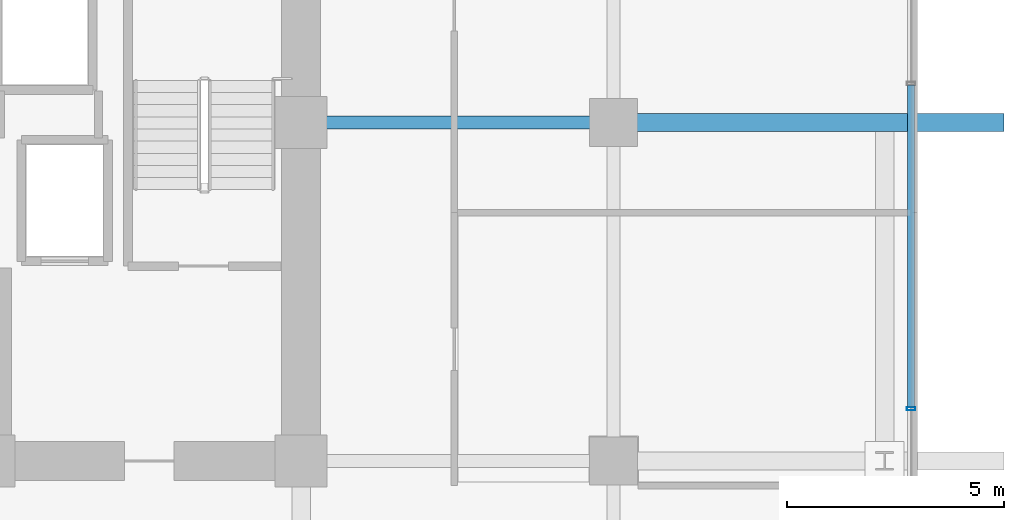
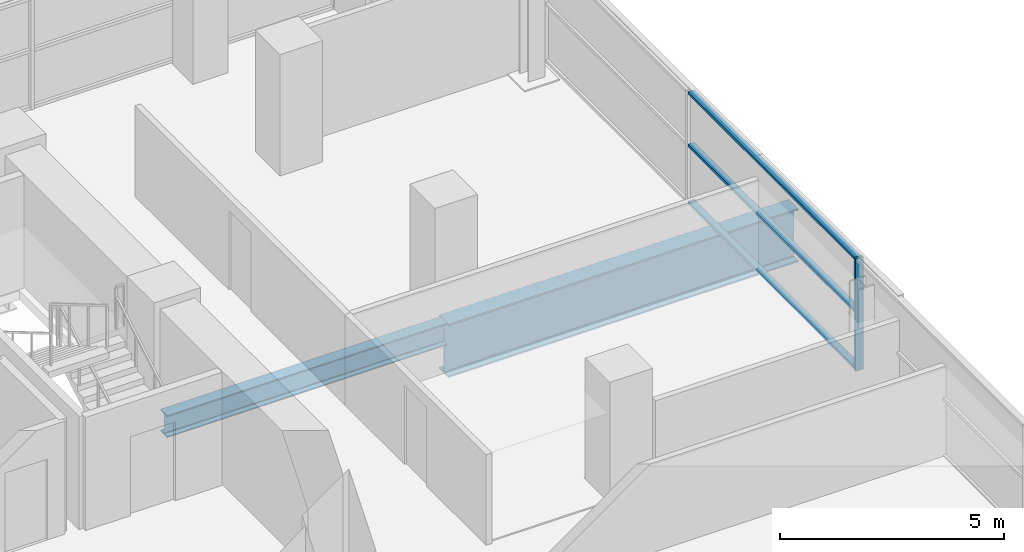
# One storey, part 15 of 32: 4 members, 2 beams, 1 element without a shape of its own.
"""IFC4 building model written with IfcOpenShell, lengths in metres."""

import ifcopenshell
import ifcopenshell.guid

model = None  # the IFC model being written
_history = None  # IfcOwnerHistory: only IFC2X3 demands one
_inside = {}  # id of a spatial element -> (the spatial element, [elements in it])
_under = {}  # id of a project, library or spatial element -> (it, [spatial elements below it])
_declared = {}  # id of a project -> (the project, [libraries it declares])
_typed = {}  # id of a type object -> (the type object, [elements of that type])
_made_of = {}  # id of a material, layer set ... -> (it, [elements and type objects made of it])


def new_model(schema):
    """Start an empty IFC model of exactly this schema.

    Asked for "IFC4X3", IfcOpenShell would pick the latest addendum, in which some entities
    have other attributes; the version numbers below select the first issue.
    IFC2X3 requires an IfcOwnerHistory on every rooted entity: one is made here for all.
    """
    global model, _history
    if schema == "IFC4X3":
        model = ifcopenshell.file(schema_version=(4, 3, 0, 0))
    else:
        model = ifcopenshell.file(schema=schema)
    _inside.clear()
    _under.clear()
    _declared.clear()
    _typed.clear()
    _made_of.clear()
    _history = None
    if model.schema == "IFC2X3":
        org = make("IfcOrganization", Name="unknown")
        user = make(
            "IfcPersonAndOrganization",
            ThePerson=make("IfcPerson", FamilyName="unknown"),
            TheOrganization=org,
        )
        app = make(
            "IfcApplication",
            ApplicationDeveloper=org,
            Version="unknown",
            ApplicationFullName="unknown",
            ApplicationIdentifier="unknown",
        )
        _history = make(
            "IfcOwnerHistory",
            OwningUser=user,
            OwningApplication=app,
            ChangeAction="ADDED",
            CreationDate=0,
        )
    return model


def make(cls, **values):
    """One entity of the class cls with the attributes given. An attribute that is None is left unset."""
    return model.create_entity(
        cls, **{name: value for name, value in values.items() if value is not None}
    )


def rooted(cls, **values):
    """An entity with a GlobalId (a new one), such as an element, a storey or a relation."""
    return make(cls, GlobalId=ifcopenshell.guid.new(), OwnerHistory=_history, **values)


def si_unit(unit_type, name, prefix=None):
    """IfcSIUnit, for example si_unit("LENGTHUNIT", "METRE", prefix="MILLI")."""
    return make("IfcSIUnit", UnitType=unit_type, Prefix=prefix, Name=name)


def assignment(units):
    """IfcUnitAssignment: the units of a project."""
    return None if units is None else make("IfcUnitAssignment", Units=units)


def point(xyz):
    """IfcCartesianPoint."""
    return None if xyz is None else make("IfcCartesianPoint", Coordinates=xyz)


def direction(xyz):
    """IfcDirection."""
    return None if xyz is None else make("IfcDirection", DirectionRatios=xyz)


def frame(location, z_axis=None, x_axis=None):
    """IfcAxis2Placement3D, a coordinate frame: its origin and axes. An axis left out is left unset."""
    return make(
        "IfcAxis2Placement3D",
        Location=point(location),
        Axis=direction(z_axis),
        RefDirection=direction(x_axis),
    )


def frame_2d(location, x_axis=None):
    """IfcAxis2Placement2D, a coordinate frame in the plane: its origin and x axis."""
    return make(
        "IfcAxis2Placement2D", Location=point(location), RefDirection=direction(x_axis)
    )


def origin():
    """The frame at (0, 0, 0) with its axes left unset."""
    return frame((0.0, 0.0, 0.0))


def origin_2d():
    """The frame at (0, 0) in the plane with its x axis left unset."""
    return frame_2d((0.0, 0.0))


def place(relative_to, where):
    """IfcLocalPlacement: puts the frame where relative to a parent placement (None: the world)."""
    return make(
        "IfcLocalPlacement", PlacementRelTo=relative_to, RelativePlacement=where
    )


def context(
    kind, dimensions, precision=None, world=None, true_north=None, identifier=None
):
    """IfcGeometricRepresentationContext, for example the 3D "Model" context."""
    return make(
        "IfcGeometricRepresentationContext",
        ContextIdentifier=identifier,
        ContextType=kind,
        CoordinateSpaceDimension=dimensions,
        Precision=precision,
        WorldCoordinateSystem=world,
        TrueNorth=true_north,
    )


def subcontext(parent, identifier, kind, view, scale=None):
    """IfcGeometricRepresentationSubContext, for example "Body" below "Model"."""
    return make(
        "IfcGeometricRepresentationSubContext",
        ContextIdentifier=identifier,
        ContextType=kind,
        ParentContext=parent,
        TargetScale=scale,
        TargetView=view,
    )


def project(units=None, contexts=None):
    """IfcProject with its units and contexts."""
    return rooted(
        "IfcProject",
        Name="project",
        RepresentationContexts=contexts,
        UnitsInContext=assignment(units),
    )


def spatial(cls, under=None, at=None, **own):
    """A site, building, storey or space (cls), placed at a placement, below another one or the project."""
    s = rooted(cls, ObjectPlacement=at, **own)
    if under is not None:
        _under.setdefault(under.id(), (under, []))[1].append(s)
    return s


def profile(cls, at=None, kind="AREA", **sizes):
    """A parametric profile (cls). Its sizes go by their IFC names, for example OverallWidth=200.0."""
    return make(cls, ProfileType=kind, Position=at, **sizes)


def hollow_rectangle(**sizes):
    """IfcRectangleHollowProfileDef."""
    return profile("IfcRectangleHollowProfileDef", **sizes)


def i_section(**sizes):
    """IfcIShapeProfileDef."""
    return profile("IfcIShapeProfileDef", **sizes)


def extrude(swept, where, along, depth):
    """IfcExtrudedAreaSolid: the profile swept, set in the frame where, extruded along a direction by depth."""
    return make(
        "IfcExtrudedAreaSolid",
        SweptArea=swept,
        Position=where,
        ExtrudedDirection=direction(along),
        Depth=depth,
    )


def shape(context_of_items, identifier, shape_type, items):
    """IfcShapeRepresentation: the items that make up one representation, for example the "Body"."""
    return make(
        "IfcShapeRepresentation",
        ContextOfItems=context_of_items,
        RepresentationIdentifier=identifier,
        RepresentationType=shape_type,
        Items=items,
    )


def source(mapping_origin, context_of_items, identifier, shape_type, items):
    """IfcRepresentationMap: a shape defined once, which mapped items show again and again."""
    return make(
        "IfcRepresentationMap",
        MappingOrigin=mapping_origin,
        MappedRepresentation=shape(context_of_items, identifier, shape_type, items),
    )


def transform(
    local_origin,
    x_axis=None,
    y_axis=None,
    z_axis=None,
    scale=None,
    scale2=None,
    scale3=None,
    uniform=True,
):
    """IfcCartesianTransformationOperator3D, or its non-uniform kind. x_axis, y_axis, z_axis: its Axis1, 2, 3."""
    if uniform:
        return make(
            "IfcCartesianTransformationOperator3D",
            Axis1=direction(x_axis),
            Axis2=direction(y_axis),
            LocalOrigin=point(local_origin),
            Scale=scale,
            Axis3=direction(z_axis),
        )
    return make(
        "IfcCartesianTransformationOperator3DnonUniform",
        Axis1=direction(x_axis),
        Axis2=direction(y_axis),
        LocalOrigin=point(local_origin),
        Scale=scale,
        Axis3=direction(z_axis),
        Scale2=scale2,
        Scale3=scale3,
    )


def mapped(mapping_source, mapping_target):
    """IfcMappedItem: shows the shape of a source again, moved by a transform."""
    return make(
        "IfcMappedItem", MappingSource=mapping_source, MappingTarget=mapping_target
    )


def material(Name=None, Category=None):
    """IfcMaterial."""
    return make("IfcMaterial", Name=Name, Category=Category)


def layer(
    of_material, thickness, ventilated=None, Name=None, Category=None, Priority=None
):
    """IfcMaterialLayer: one layer of a wall or slab, of a material (None: an air gap)."""
    return make(
        "IfcMaterialLayer",
        Material=of_material,
        LayerThickness=thickness,
        IsVentilated=ventilated,
        Name=Name,
        Category=Category,
        Priority=Priority,
    )


def layer_set(layers, Name=None):
    """IfcMaterialLayerSet."""
    return make("IfcMaterialLayerSet", MaterialLayers=layers, LayerSetName=Name)


def material_profile(
    of_material, cross_section, Name=None, Category=None, Priority=None
):
    """IfcMaterialProfile: a cross section and its material."""
    return make(
        "IfcMaterialProfile",
        Name=Name,
        Material=of_material,
        Profile=cross_section,
        Priority=Priority,
        Category=Category,
    )


def profile_set(profiles, Name=None, composite=None):
    """IfcMaterialProfileSet."""
    return make(
        "IfcMaterialProfileSet",
        Name=Name,
        MaterialProfiles=profiles,
        CompositeProfile=composite,
    )


def made_of(thing, what):
    """Note that an element or type object is made of a material, layer set ...; save() writes the relation."""
    if what is not None:
        _made_of.setdefault(what.id(), (what, []))[1].append(thing)
    return thing


def type_object(cls, material=None, **own):
    """A type object (cls), such as IfcWallType, which elements share."""
    return made_of(rooted(cls, **own), material)


def element(
    cls,
    number,
    at=None,
    inside=None,
    cuts=None,
    type_object=None,
    material=None,
    context=None,
    identifier="Body",
    shape_type=None,
    held_by="IfcProductDefinitionShape",
    body=None,
    shapes=None,
    **own,
):
    """One element of the class cls, such as IfcWall. Its Tag is "e" and its number.

    at: its placement. inside: the storey or other place that contains it. cuts: it is an
    opening in that element (IfcRelVoidsElement). A single representation is given by context,
    identifier, shape_type and body (its items); several are given by shapes. held_by: the class
    of the entity that holds the representations. save() writes the other relations.
    """
    e = rooted(cls, Tag="e%d" % number, ObjectPlacement=at, **own)
    if body is not None:
        shapes = [shape(context, identifier, shape_type, body)]
    if shapes is not None:
        e.Representation = make(held_by, Representations=shapes)
    if inside is not None:
        _inside.setdefault(inside.id(), (inside, []))[1].append(e)
    if cuts is not None:
        rooted(
            "IfcRelVoidsElement", RelatingBuildingElement=cuts, RelatedOpeningElement=e
        )
    if type_object is not None:
        _typed.setdefault(type_object.id(), (type_object, []))[1].append(e)
    return made_of(e, material)


def aggregate(whole, parts):
    """IfcRelAggregates: a whole, such as a stair, and the parts it consists of."""
    return rooted("IfcRelAggregates", RelatingObject=whole, RelatedObjects=parts)


def save(model, path):
    """Write the relations noted so far, then the file.

    IfcRelAggregates (storeys below a building ...), IfcRelContainedInSpatialStructure (elements
    in a storey), IfcRelDefinesByType, IfcRelAssociatesMaterial and IfcRelDeclares: one each for
    every whole, place, type object, material and project.
    """
    for whole, parts in _under.values():
        aggregate(whole, parts)
    for where, things in _inside.values():
        rooted(
            "IfcRelContainedInSpatialStructure",
            RelatedElements=things,
            RelatingStructure=where,
        )
    for kind, things in _typed.values():
        rooted("IfcRelDefinesByType", RelatedObjects=things, RelatingType=kind)
    for what, things in _made_of.values():
        rooted("IfcRelAssociatesMaterial", RelatedObjects=things, RelatingMaterial=what)
    for by, libraries in _declared.values():
        rooted("IfcRelDeclares", RelatingContext=by, RelatedDefinitions=libraries)
    model.write(path)


model = new_model("IFC4")

# Units and contexts
model_context = context("Model", 3, precision=1e-05, world=origin(), true_north=direction((0.0, 1.0)))
body_context = subcontext(model_context, "Body", "Model", "MODEL_VIEW")
ifc_project = project(units=[si_unit("LENGTHUNIT", "METRE"), si_unit("AREAUNIT", "SQUARE_METRE"), si_unit("VOLUMEUNIT", "CUBIC_METRE"), si_unit("PLANEANGLEUNIT", "RADIAN"), si_unit("MASSUNIT", "GRAM", prefix="KILO")], contexts=[model_context])

# Site, building, storey
site_placement = place(None, origin())
site = spatial("IfcSite", under=ifc_project, at=site_placement, CompositionType="ELEMENT")
building_placement = place(site_placement, origin())
building = spatial("IfcBuilding", under=site, at=building_placement, Name="Zarnakvel Exchange Tower", CompositionType="ELEMENT")
storey_placement = place(building_placement, frame((0.0, 0.0, 27.39990234375)))
storey = spatial("IfcBuildingStorey", under=building, at=storey_placement, Name="L06", CompositionType="ELEMENT", Elevation=27.39990234375)

# Beams
ifc_material_1 = material(Name="Steel S355", Category="steel")
ifc_material_profile_1 = material_profile(ifc_material_1, i_section(OverallWidth=0.300048828125, OverallDepth=0.60009765625, WebThickness=0.015380859375, FlangeThickness=0.030029296875, FilletRadius=0.027099609375, at=origin_2d()))
ifc_profile_set_1 = profile_set([ifc_material_profile_1], Name="Steel S355")
beam_type_1 = type_object("IfcBeamType", Name="G-04", PredefinedType="BEAM", material=ifc_profile_set_1)
beam_1_placement = place(storey_placement, frame((14.39990234375, 6.60009765625, -0.5498046875), z_axis=(1.0, 0.0, 0.0), x_axis=(0.0, 1.0, 0.0)))
element("IfcBeam", 1, at=beam_1_placement, inside=storey, type_object=beam_type_1, Name="L06 Tower E-W Frame Beam", PredefinedType="BEAM", context=body_context, shape_type="SweptSolid", body=[
    extrude(i_section(OverallWidth=0.300048828125, OverallDepth=0.60009765625, WebThickness=0.015380859375, FlangeThickness=0.030029296875, FilletRadius=0.027099609375, at=origin_2d()), origin(), (0.0, 0.0, 1.0), 7.2001953125),
])
ifc_material_2 = material(Name="Steel S460", Category="steel")
ifc_material_profile_2 = material_profile(ifc_material_2, i_section(OverallWidth=0.419921875, OverallDepth=1.449951171875, WebThickness=0.02392578125, FlangeThickness=0.0400390625, FilletRadius=0.030029296875, at=origin_2d()))
ifc_profile_set_2 = profile_set([ifc_material_profile_2], Name="Steel S460")
beam_type_2 = type_object("IfcBeamType", Name="TG-01", PredefinedType="BEAM", material=ifc_profile_set_2)
beam_2_placement = place(storey_placement, frame((21.60009765625, 6.60009765625, -0.974853515625), z_axis=(1.0, 0.0, 0.0), x_axis=(0.0, 1.0, 0.0)))
element("IfcBeam", 2, at=beam_2_placement, inside=storey, type_object=beam_type_2, Name="L06 Wing Transfer Girder East", PredefinedType="BEAM", context=body_context, shape_type="SweptSolid", body=[
    extrude(i_section(OverallWidth=0.419921875, OverallDepth=1.449951171875, WebThickness=0.02392578125, FlangeThickness=0.0400390625, FilletRadius=0.030029296875, at=origin_2d()), origin(), (0.0, 0.0, 1.0), 9.0),
])

# Curtain wall, members
ifc_material_3 = material(Name="Architectural Bronze Anodised Aluminium", Category="aluminium")
ifc_layer = layer(ifc_material_3, 0.199951171875)
ifc_layer_set = layer_set([ifc_layer], Name="Architectural Bronze Anodised Aluminium")
curtain_wall_type = type_object("IfcCurtainWallType", Name="CW-04", PredefinedType="NOTDEFINED", material=ifc_layer_set)
curtain_wall_placement = place(storey_placement, origin())
curtain_wall = element("IfcCurtainWall", 3, at=curtain_wall_placement, inside=storey, type_object=curtain_wall_type, Name="L06 Curtain Wall CW-L06-E1 (CW-04)", PredefinedType="NOTDEFINED")
ifc_material_profile_3 = material_profile(ifc_material_3, hollow_rectangle(XDim=0.199951171875, YDim=0.074951171875, WallThickness=0.0048828125, at=origin_2d()))
ifc_profile_set_3 = profile_set([ifc_material_profile_3], Name="Architectural Bronze Anodised Aluminium")
member_type_1 = type_object("IfcMemberType", Name="CWM-04", PredefinedType="MULLION", material=ifc_profile_set_3)
shared_shape_1 = source(origin(), body_context, "Body", "SweptSolid", [
    extrude(hollow_rectangle(XDim=0.199951171875, YDim=0.074951171875, WallThickness=0.0048828125, at=origin_2d()), origin(), (0.0, 0.0, 1.0), 3.05517578125),
])
member_1_placement = place(storey_placement, frame((28.4599609375, 0.0, 0.0), z_axis=(0.0, 0.0, 1.0), x_axis=(-1.0, 0.0, 0.0)))
member_1 = element("IfcMember", 4, at=member_1_placement, type_object=member_type_1, Name="CW-04 mullion 3", PredefinedType="MULLION", context=body_context, shape_type="MappedRepresentation", body=[
    mapped(shared_shape_1, transform((0.0, 0.0, 0.0), x_axis=(1.0, 0.0, 0.0), y_axis=(0.0, 1.0, 0.0), z_axis=(0.0, 0.0, 1.0), scale=1.0)),
])
ifc_material_profile_4 = material_profile(ifc_material_3, hollow_rectangle(XDim=0.159912109375, YDim=0.074951171875, WallThickness=0.00390625, at=origin_2d()))
ifc_profile_set_4 = profile_set([ifc_material_profile_4], Name="Architectural Bronze Anodised Aluminium")
member_type_2 = type_object("IfcMemberType", Name="CWT-04", PredefinedType="USERDEFINED", material=ifc_profile_set_4)
shared_shape_2 = source(origin(), body_context, "Body", "SweptSolid", [
    extrude(hollow_rectangle(XDim=0.159912109375, YDim=0.074951171875, WallThickness=0.00390625, at=origin_2d()), origin(), (0.0, 0.0, 1.0), 7.4248046875),
])
member_2_placement = place(storey_placement, frame((28.4599609375, 0.03759765625, 0.03759765625), z_axis=(0.0, 1.0, 0.0), x_axis=(-1.0, 0.0, 0.0)))
member_2 = element("IfcMember", 5, at=member_2_placement, type_object=member_type_2, Name="CW-04 transom 3.1", ObjectType="TRANSOM", PredefinedType="USERDEFINED", context=body_context, shape_type="MappedRepresentation", body=[
    mapped(shared_shape_2, transform((0.0, 0.0, 0.0), x_axis=(1.0, 0.0, 0.0), y_axis=(0.0, 1.0, 0.0), z_axis=(0.0, 0.0, 1.0), scale=1.0)),
])
member_3_placement = place(storey_placement, frame((28.4599609375, 0.03759765625, 1.588623046875), z_axis=(0.0, 1.0, 0.0), x_axis=(-1.0, 0.0, 0.0)))
member_3 = element("IfcMember", 6, at=member_3_placement, type_object=member_type_2, Name="CW-04 transom 3.2", ObjectType="TRANSOM", PredefinedType="USERDEFINED", context=body_context, shape_type="MappedRepresentation", body=[
    mapped(shared_shape_2, transform((0.0, 0.0, 0.0), x_axis=(1.0, 0.0, 0.0), y_axis=(0.0, 1.0, 0.0), z_axis=(0.0, 0.0, 1.0), scale=1.0)),
])
member_4_placement = place(storey_placement, frame((28.4599609375, 0.03759765625, 3.017578125), z_axis=(0.0, 1.0, 0.0), x_axis=(-1.0, 0.0, 0.0)))
member_4 = element("IfcMember", 7, at=member_4_placement, type_object=member_type_2, Name="CW-04 transom 3.3", ObjectType="TRANSOM", PredefinedType="USERDEFINED", context=body_context, shape_type="MappedRepresentation", body=[
    mapped(shared_shape_2, transform((0.0, 0.0, 0.0), x_axis=(1.0, 0.0, 0.0), y_axis=(0.0, 1.0, 0.0), z_axis=(0.0, 0.0, 1.0), scale=1.0)),
])
aggregate(curtain_wall, [member_1, member_2, member_3, member_4])

save(model, "model.ifc")
